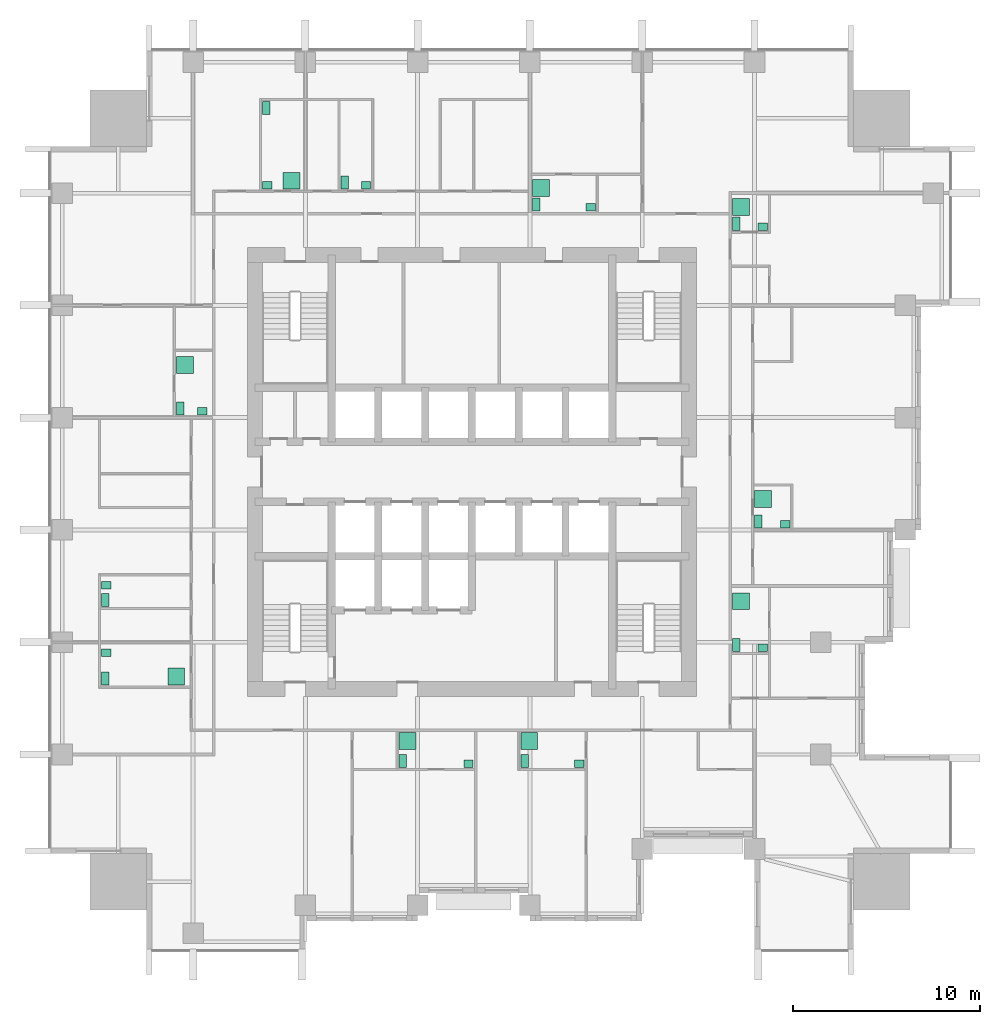
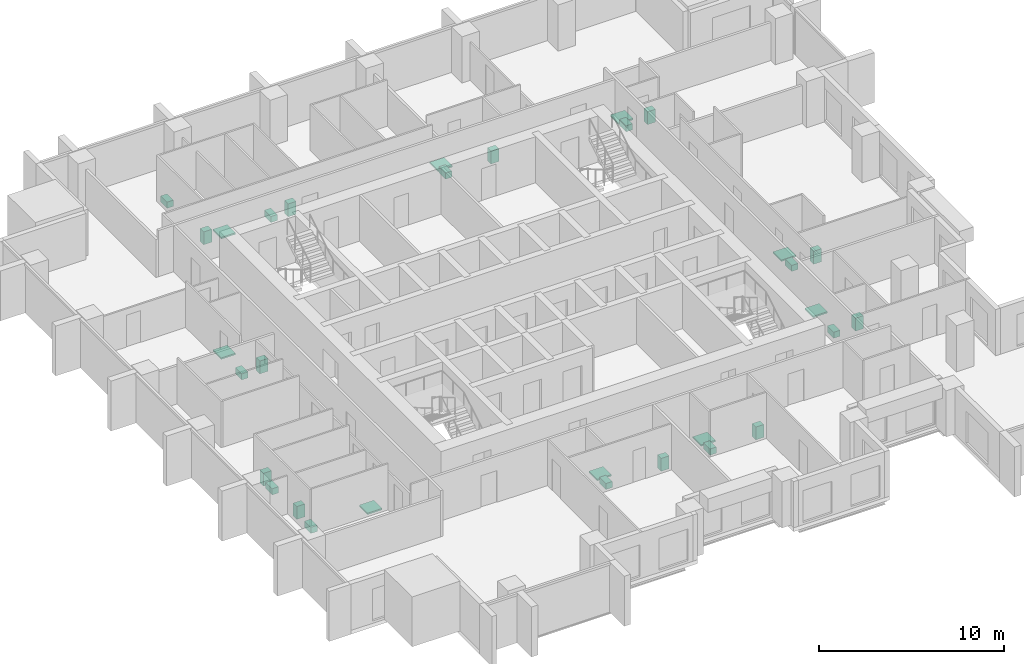
# One storey, part 10 of 10: 31 sanitary terminals.
"""IFC4 building model written with IfcOpenShell, lengths in metres."""

import ifcopenshell
import ifcopenshell.guid

model = None  # the IFC model being written
_history = None  # IfcOwnerHistory: only IFC2X3 demands one
_inside = {}  # id of a spatial element -> (the spatial element, [elements in it])
_under = {}  # id of a project, library or spatial element -> (it, [spatial elements below it])
_declared = {}  # id of a project -> (the project, [libraries it declares])
_typed = {}  # id of a type object -> (the type object, [elements of that type])
_made_of = {}  # id of a material, layer set ... -> (it, [elements and type objects made of it])


def new_model(schema):
    """Start an empty IFC model of exactly this schema.

    Asked for "IFC4X3", IfcOpenShell would pick the latest addendum, in which some entities
    have other attributes; the version numbers below select the first issue.
    IFC2X3 requires an IfcOwnerHistory on every rooted entity: one is made here for all.
    """
    global model, _history
    if schema == "IFC4X3":
        model = ifcopenshell.file(schema_version=(4, 3, 0, 0))
    else:
        model = ifcopenshell.file(schema=schema)
    _inside.clear()
    _under.clear()
    _declared.clear()
    _typed.clear()
    _made_of.clear()
    _history = None
    if model.schema == "IFC2X3":
        org = make("IfcOrganization", Name="unknown")
        user = make(
            "IfcPersonAndOrganization",
            ThePerson=make("IfcPerson", FamilyName="unknown"),
            TheOrganization=org,
        )
        app = make(
            "IfcApplication",
            ApplicationDeveloper=org,
            Version="unknown",
            ApplicationFullName="unknown",
            ApplicationIdentifier="unknown",
        )
        _history = make(
            "IfcOwnerHistory",
            OwningUser=user,
            OwningApplication=app,
            ChangeAction="ADDED",
            CreationDate=0,
        )
    return model


def make(cls, **values):
    """One entity of the class cls with the attributes given. An attribute that is None is left unset."""
    return model.create_entity(
        cls, **{name: value for name, value in values.items() if value is not None}
    )


def rooted(cls, **values):
    """An entity with a GlobalId (a new one), such as an element, a storey or a relation."""
    return make(cls, GlobalId=ifcopenshell.guid.new(), OwnerHistory=_history, **values)


def si_unit(unit_type, name, prefix=None):
    """IfcSIUnit, for example si_unit("LENGTHUNIT", "METRE", prefix="MILLI")."""
    return make("IfcSIUnit", UnitType=unit_type, Prefix=prefix, Name=name)


def assignment(units):
    """IfcUnitAssignment: the units of a project."""
    return None if units is None else make("IfcUnitAssignment", Units=units)


def point(xyz):
    """IfcCartesianPoint."""
    return None if xyz is None else make("IfcCartesianPoint", Coordinates=xyz)


def direction(xyz):
    """IfcDirection."""
    return None if xyz is None else make("IfcDirection", DirectionRatios=xyz)


def frame(location, z_axis=None, x_axis=None):
    """IfcAxis2Placement3D, a coordinate frame: its origin and axes. An axis left out is left unset."""
    return make(
        "IfcAxis2Placement3D",
        Location=point(location),
        Axis=direction(z_axis),
        RefDirection=direction(x_axis),
    )


def frame_2d(location, x_axis=None):
    """IfcAxis2Placement2D, a coordinate frame in the plane: its origin and x axis."""
    return make(
        "IfcAxis2Placement2D", Location=point(location), RefDirection=direction(x_axis)
    )


def origin():
    """The frame at (0, 0, 0) with its axes left unset."""
    return frame((0.0, 0.0, 0.0))


def origin_2d():
    """The frame at (0, 0) in the plane with its x axis left unset."""
    return frame_2d((0.0, 0.0))


def place(relative_to, where):
    """IfcLocalPlacement: puts the frame where relative to a parent placement (None: the world)."""
    return make(
        "IfcLocalPlacement", PlacementRelTo=relative_to, RelativePlacement=where
    )


def context(
    kind, dimensions, precision=None, world=None, true_north=None, identifier=None
):
    """IfcGeometricRepresentationContext, for example the 3D "Model" context."""
    return make(
        "IfcGeometricRepresentationContext",
        ContextIdentifier=identifier,
        ContextType=kind,
        CoordinateSpaceDimension=dimensions,
        Precision=precision,
        WorldCoordinateSystem=world,
        TrueNorth=true_north,
    )


def subcontext(parent, identifier, kind, view, scale=None):
    """IfcGeometricRepresentationSubContext, for example "Body" below "Model"."""
    return make(
        "IfcGeometricRepresentationSubContext",
        ContextIdentifier=identifier,
        ContextType=kind,
        ParentContext=parent,
        TargetScale=scale,
        TargetView=view,
    )


def project(units=None, contexts=None):
    """IfcProject with its units and contexts."""
    return rooted(
        "IfcProject",
        Name="project",
        RepresentationContexts=contexts,
        UnitsInContext=assignment(units),
    )


def spatial(cls, under=None, at=None, **own):
    """A site, building, storey or space (cls), placed at a placement, below another one or the project."""
    s = rooted(cls, ObjectPlacement=at, **own)
    if under is not None:
        _under.setdefault(under.id(), (under, []))[1].append(s)
    return s


def profile(cls, at=None, kind="AREA", **sizes):
    """A parametric profile (cls). Its sizes go by their IFC names, for example OverallWidth=200.0."""
    return make(cls, ProfileType=kind, Position=at, **sizes)


def rectangle(**sizes):
    """IfcRectangleProfileDef."""
    return profile("IfcRectangleProfileDef", **sizes)


def extrude(swept, where, along, depth):
    """IfcExtrudedAreaSolid: the profile swept, set in the frame where, extruded along a direction by depth."""
    return make(
        "IfcExtrudedAreaSolid",
        SweptArea=swept,
        Position=where,
        ExtrudedDirection=direction(along),
        Depth=depth,
    )


def shape(context_of_items, identifier, shape_type, items):
    """IfcShapeRepresentation: the items that make up one representation, for example the "Body"."""
    return make(
        "IfcShapeRepresentation",
        ContextOfItems=context_of_items,
        RepresentationIdentifier=identifier,
        RepresentationType=shape_type,
        Items=items,
    )


def made_of(thing, what):
    """Note that an element or type object is made of a material, layer set ...; save() writes the relation."""
    if what is not None:
        _made_of.setdefault(what.id(), (what, []))[1].append(thing)
    return thing


def element(
    cls,
    number,
    at=None,
    inside=None,
    cuts=None,
    type_object=None,
    material=None,
    context=None,
    identifier="Body",
    shape_type=None,
    held_by="IfcProductDefinitionShape",
    body=None,
    shapes=None,
    **own,
):
    """One element of the class cls, such as IfcWall. Its Tag is "e" and its number.

    at: its placement. inside: the storey or other place that contains it. cuts: it is an
    opening in that element (IfcRelVoidsElement). A single representation is given by context,
    identifier, shape_type and body (its items); several are given by shapes. held_by: the class
    of the entity that holds the representations. save() writes the other relations.
    """
    e = rooted(cls, Tag="e%d" % number, ObjectPlacement=at, **own)
    if body is not None:
        shapes = [shape(context, identifier, shape_type, body)]
    if shapes is not None:
        e.Representation = make(held_by, Representations=shapes)
    if inside is not None:
        _inside.setdefault(inside.id(), (inside, []))[1].append(e)
    if cuts is not None:
        rooted(
            "IfcRelVoidsElement", RelatingBuildingElement=cuts, RelatedOpeningElement=e
        )
    if type_object is not None:
        _typed.setdefault(type_object.id(), (type_object, []))[1].append(e)
    return made_of(e, material)


def aggregate(whole, parts):
    """IfcRelAggregates: a whole, such as a stair, and the parts it consists of."""
    return rooted("IfcRelAggregates", RelatingObject=whole, RelatedObjects=parts)


def save(model, path):
    """Write the relations noted so far, then the file.

    IfcRelAggregates (storeys below a building ...), IfcRelContainedInSpatialStructure (elements
    in a storey), IfcRelDefinesByType, IfcRelAssociatesMaterial and IfcRelDeclares: one each for
    every whole, place, type object, material and project.
    """
    for whole, parts in _under.values():
        aggregate(whole, parts)
    for where, things in _inside.values():
        rooted(
            "IfcRelContainedInSpatialStructure",
            RelatedElements=things,
            RelatingStructure=where,
        )
    for kind, things in _typed.values():
        rooted("IfcRelDefinesByType", RelatedObjects=things, RelatingType=kind)
    for what, things in _made_of.values():
        rooted("IfcRelAssociatesMaterial", RelatedObjects=things, RelatingMaterial=what)
    for by, libraries in _declared.values():
        rooted("IfcRelDeclares", RelatingContext=by, RelatedDefinitions=libraries)
    model.write(path)


model = new_model("IFC4")

# Units and contexts
model_context = context("Model", 3, precision=1e-05, world=origin(), true_north=direction((0.0, 1.0)))
body_context = subcontext(model_context, "Body", "Model", "MODEL_VIEW")
ifc_project = project(units=[si_unit("LENGTHUNIT", "METRE"), si_unit("AREAUNIT", "SQUARE_METRE"), si_unit("VOLUMEUNIT", "CUBIC_METRE"), si_unit("PLANEANGLEUNIT", "RADIAN"), si_unit("MASSUNIT", "GRAM", prefix="KILO")], contexts=[model_context])

# Site, building, storey
site_placement = place(None, origin())
site = spatial("IfcSite", under=ifc_project, at=site_placement, CompositionType="ELEMENT")
building_placement = place(site_placement, origin())
building = spatial("IfcBuilding", under=site, at=building_placement, Name="Amberfall Residences", CompositionType="ELEMENT")
storey_placement = place(building_placement, frame((0.0, 0.0, 118.300048828125)))
storey = spatial("IfcBuildingStorey", under=building, at=storey_placement, Name="L32", CompositionType="ELEMENT", Elevation=118.300048828125)

# Sanitary terminals
sanitary_terminal_1_placement = place(storey_placement, frame((70.81005859375, 30.06005859375, 0.0), z_axis=(0.0, 0.0, 1.0), x_axis=(1.0, 0.0, 0.0)))
element("IfcSanitaryTerminal", 1, at=sanitary_terminal_1_placement, inside=storey, Name="Water closet 3201", PredefinedType="TOILETPAN", context=body_context, shape_type="SweptSolid", body=[
    extrude(rectangle(XDim=0.39990234375, YDim=0.699951171875, at=origin_2d()), origin(), (0.0, 0.0, 1.0), 0.39990234375),
])
sanitary_terminal_2_placement = place(storey_placement, frame((74.31494140625, 29.909912109375, 0.0), z_axis=(0.0, 0.0, 1.0), x_axis=(1.0, 0.0, 0.0)))
element("IfcSanitaryTerminal", 2, at=sanitary_terminal_2_placement, inside=storey, Name="Basin 3201", PredefinedType="WASHHANDBASIN", context=body_context, shape_type="SweptSolid", body=[
    extrude(rectangle(XDim=0.5, YDim=0.39990234375, at=origin_2d()), origin(), (0.0, 0.0, 1.0), 0.85009765625),
])
sanitary_terminal_3_placement = place(storey_placement, frame((71.06005859375, 31.114990234375, 0.0), z_axis=(0.0, 0.0, 1.0), x_axis=(1.0, 0.0, 0.0)))
element("IfcSanitaryTerminal", 3, at=sanitary_terminal_3_placement, inside=storey, Name="Shower tray 3201", PredefinedType="SHOWER", context=body_context, shape_type="SweptSolid", body=[
    extrude(rectangle(XDim=0.89990234375, YDim=0.89990234375, at=origin_2d()), origin(), (0.0, 0.0, 1.0), 0.10009765625),
])
sanitary_terminal_4_placement = place(storey_placement, frame((77.31005859375, 30.06005859375, 0.0), z_axis=(0.0, 0.0, 1.0), x_axis=(1.0, 0.0, 0.0)))
element("IfcSanitaryTerminal", 4, at=sanitary_terminal_4_placement, inside=storey, Name="Water closet 3202", PredefinedType="TOILETPAN", context=body_context, shape_type="SweptSolid", body=[
    extrude(rectangle(XDim=0.39990234375, YDim=0.699951171875, at=origin_2d()), origin(), (0.0, 0.0, 1.0), 0.39990234375),
])
sanitary_terminal_5_placement = place(storey_placement, frame((80.239990234375, 29.909912109375, 0.0), z_axis=(0.0, 0.0, 1.0), x_axis=(1.0, 0.0, 0.0)))
element("IfcSanitaryTerminal", 5, at=sanitary_terminal_5_placement, inside=storey, Name="Basin 3202", PredefinedType="WASHHANDBASIN", context=body_context, shape_type="SweptSolid", body=[
    extrude(rectangle(XDim=0.5, YDim=0.39990234375, at=origin_2d()), origin(), (0.0, 0.0, 1.0), 0.85009765625),
])
sanitary_terminal_6_placement = place(storey_placement, frame((77.56005859375, 31.114990234375, 0.0), z_axis=(0.0, 0.0, 1.0), x_axis=(1.0, 0.0, 0.0)))
element("IfcSanitaryTerminal", 6, at=sanitary_terminal_6_placement, inside=storey, Name="Shower tray 3202", PredefinedType="SHOWER", context=body_context, shape_type="SweptSolid", body=[
    extrude(rectangle(XDim=0.89990234375, YDim=0.89990234375, at=origin_2d()), origin(), (0.0, 0.0, 1.0), 0.10009765625),
])
sanitary_terminal_7_placement = place(storey_placement, frame((88.635009765625, 36.260009765625, 0.0), z_axis=(0.0, 0.0, 1.0), x_axis=(1.0, 0.0, 0.0)))
element("IfcSanitaryTerminal", 7, at=sanitary_terminal_7_placement, inside=storey, Name="Water closet 3203", PredefinedType="TOILETPAN", context=body_context, shape_type="SweptSolid", body=[
    extrude(rectangle(XDim=0.39990234375, YDim=0.699951171875, at=origin_2d()), origin(), (0.0, 0.0, 1.0), 0.39990234375),
])
sanitary_terminal_8_placement = place(storey_placement, frame((90.0400390625, 36.110107421875, 0.0), z_axis=(0.0, 0.0, 1.0), x_axis=(1.0, 0.0, 0.0)))
element("IfcSanitaryTerminal", 8, at=sanitary_terminal_8_placement, inside=storey, Name="Basin 3203", PredefinedType="WASHHANDBASIN", context=body_context, shape_type="SweptSolid", body=[
    extrude(rectangle(XDim=0.5, YDim=0.39990234375, at=origin_2d()), origin(), (0.0, 0.0, 1.0), 0.85009765625),
])
sanitary_terminal_9_placement = place(storey_placement, frame((88.885009765625, 38.591796875, 0.0), z_axis=(0.0, 0.0, 1.0), x_axis=(1.0, 0.0, 0.0)))
element("IfcSanitaryTerminal", 9, at=sanitary_terminal_9_placement, inside=storey, Name="Shower tray 3203", PredefinedType="SHOWER", context=body_context, shape_type="SweptSolid", body=[
    extrude(rectangle(XDim=0.89990234375, YDim=0.89990234375, at=origin_2d()), origin(), (0.0, 0.0, 1.0), 0.10009765625),
])
sanitary_terminal_10_placement = place(storey_placement, frame((89.81005859375, 42.860107421875, 0.0), z_axis=(0.0, 0.0, 1.0), x_axis=(1.0, 0.0, 0.0)))
element("IfcSanitaryTerminal", 10, at=sanitary_terminal_10_placement, inside=storey, Name="Water closet 3204", PredefinedType="TOILETPAN", context=body_context, shape_type="SweptSolid", body=[
    extrude(rectangle(XDim=0.39990234375, YDim=0.699951171875, at=origin_2d()), origin(), (0.0, 0.0, 1.0), 0.39990234375),
])
sanitary_terminal_11_placement = place(storey_placement, frame((91.239990234375, 42.7099609375, 0.0), z_axis=(0.0, 0.0, 1.0), x_axis=(1.0, 0.0, 0.0)))
element("IfcSanitaryTerminal", 11, at=sanitary_terminal_11_placement, inside=storey, Name="Basin 3204", PredefinedType="WASHHANDBASIN", context=body_context, shape_type="SweptSolid", body=[
    extrude(rectangle(XDim=0.5, YDim=0.39990234375, at=origin_2d()), origin(), (0.0, 0.0, 1.0), 0.85009765625),
])
sanitary_terminal_12_placement = place(storey_placement, frame((90.06005859375, 44.05712890625, 0.0), z_axis=(0.0, 0.0, 1.0), x_axis=(1.0, 0.0, 0.0)))
element("IfcSanitaryTerminal", 12, at=sanitary_terminal_12_placement, inside=storey, Name="Shower tray 3204", PredefinedType="SHOWER", context=body_context, shape_type="SweptSolid", body=[
    extrude(rectangle(XDim=0.89990234375, YDim=0.89990234375, at=origin_2d()), origin(), (0.0, 0.0, 1.0), 0.10009765625),
])
sanitary_terminal_13_placement = place(storey_placement, frame((88.635009765625, 58.760009765625, 0.0), z_axis=(0.0, 0.0, 1.0), x_axis=(1.0, 0.0, 0.0)))
element("IfcSanitaryTerminal", 13, at=sanitary_terminal_13_placement, inside=storey, Name="Water closet 3205", PredefinedType="TOILETPAN", context=body_context, shape_type="SweptSolid", body=[
    extrude(rectangle(XDim=0.39990234375, YDim=0.699951171875, at=origin_2d()), origin(), (0.0, 0.0, 1.0), 0.39990234375),
])
sanitary_terminal_14_placement = place(storey_placement, frame((90.0400390625, 58.610107421875, 0.0), z_axis=(0.0, 0.0, 1.0), x_axis=(1.0, 0.0, 0.0)))
element("IfcSanitaryTerminal", 14, at=sanitary_terminal_14_placement, inside=storey, Name="Basin 3205", PredefinedType="WASHHANDBASIN", context=body_context, shape_type="SweptSolid", body=[
    extrude(rectangle(XDim=0.5, YDim=0.39990234375, at=origin_2d()), origin(), (0.0, 0.0, 1.0), 0.85009765625),
])
sanitary_terminal_15_placement = place(storey_placement, frame((88.885009765625, 59.65576171875, 0.0), z_axis=(0.0, 0.0, 1.0), x_axis=(1.0, 0.0, 0.0)))
element("IfcSanitaryTerminal", 15, at=sanitary_terminal_15_placement, inside=storey, Name="Shower tray 3205", PredefinedType="SHOWER", context=body_context, shape_type="SweptSolid", body=[
    extrude(rectangle(XDim=0.89990234375, YDim=0.89990234375, at=origin_2d()), origin(), (0.0, 0.0, 1.0), 0.10009765625),
])
sanitary_terminal_16_placement = place(storey_placement, frame((67.7099609375, 60.9599609375, 0.0), z_axis=(0.0, 0.0, 1.0), x_axis=(1.0, 0.0, 0.0)))
element("IfcSanitaryTerminal", 16, at=sanitary_terminal_16_placement, inside=storey, Name="Water closet 3206 1", PredefinedType="TOILETPAN", context=body_context, shape_type="SweptSolid", body=[
    extrude(rectangle(XDim=0.39990234375, YDim=0.699951171875, at=origin_2d()), origin(), (0.0, 0.0, 1.0), 0.39990234375),
])
sanitary_terminal_17_placement = place(storey_placement, frame((68.840087890625, 60.81005859375, 0.0), z_axis=(0.0, 0.0, 1.0), x_axis=(1.0, 0.0, 0.0)))
element("IfcSanitaryTerminal", 17, at=sanitary_terminal_17_placement, inside=storey, Name="Basin 3206 1", PredefinedType="WASHHANDBASIN", context=body_context, shape_type="SweptSolid", body=[
    extrude(rectangle(XDim=0.5, YDim=0.39990234375, at=origin_2d()), origin(), (0.0, 0.0, 1.0), 0.85009765625),
])
sanitary_terminal_18_placement = place(storey_placement, frame((63.510009765625, 64.93994140625, 0.0), z_axis=(0.0, 0.0, 1.0), x_axis=(1.0, 0.0, 0.0)))
element("IfcSanitaryTerminal", 18, at=sanitary_terminal_18_placement, inside=storey, Name="Water closet 3206", PredefinedType="TOILETPAN", context=body_context, shape_type="SweptSolid", body=[
    extrude(rectangle(XDim=0.39990234375, YDim=0.699951171875, at=origin_2d()), origin(), (0.0, 0.0, 1.0), 0.39990234375),
])
sanitary_terminal_19_placement = place(storey_placement, frame((63.56005859375, 60.81005859375, 0.0), z_axis=(0.0, 0.0, 1.0), x_axis=(1.0, 0.0, 0.0)))
element("IfcSanitaryTerminal", 19, at=sanitary_terminal_19_placement, inside=storey, Name="Basin 3206", PredefinedType="WASHHANDBASIN", context=body_context, shape_type="SweptSolid", body=[
    extrude(rectangle(XDim=0.5, YDim=0.39990234375, at=origin_2d()), origin(), (0.0, 0.0, 1.0), 0.85009765625),
])
sanitary_terminal_20_placement = place(storey_placement, frame((64.857177734375, 61.06005859375, 0.0), z_axis=(0.0, 0.0, 1.0), x_axis=(1.0, 0.0, 0.0)))
element("IfcSanitaryTerminal", 20, at=sanitary_terminal_20_placement, inside=storey, Name="Shower tray 3206", PredefinedType="SHOWER", context=body_context, shape_type="SweptSolid", body=[
    extrude(rectangle(XDim=0.89990234375, YDim=0.89990234375, at=origin_2d()), origin(), (0.0, 0.0, 1.0), 0.10009765625),
])
sanitary_terminal_21_placement = place(storey_placement, frame((77.93505859375, 59.784912109375, 0.0), z_axis=(0.0, 0.0, 1.0), x_axis=(1.0, 0.0, 0.0)))
element("IfcSanitaryTerminal", 21, at=sanitary_terminal_21_placement, inside=storey, Name="Water closet 3207", PredefinedType="TOILETPAN", context=body_context, shape_type="SweptSolid", body=[
    extrude(rectangle(XDim=0.39990234375, YDim=0.699951171875, at=origin_2d()), origin(), (0.0, 0.0, 1.0), 0.39990234375),
])
sanitary_terminal_22_placement = place(storey_placement, frame((80.840087890625, 59.635009765625, 0.0), z_axis=(0.0, 0.0, 1.0), x_axis=(1.0, 0.0, 0.0)))
element("IfcSanitaryTerminal", 22, at=sanitary_terminal_22_placement, inside=storey, Name="Basin 3207", PredefinedType="WASHHANDBASIN", context=body_context, shape_type="SweptSolid", body=[
    extrude(rectangle(XDim=0.5, YDim=0.39990234375, at=origin_2d()), origin(), (0.0, 0.0, 1.0), 0.85009765625),
])
sanitary_terminal_23_placement = place(storey_placement, frame((78.18505859375, 60.680908203125, 0.0), z_axis=(0.0, 0.0, 1.0), x_axis=(1.0, 0.0, 0.0)))
element("IfcSanitaryTerminal", 23, at=sanitary_terminal_23_placement, inside=storey, Name="Shower tray 3207", PredefinedType="SHOWER", context=body_context, shape_type="SweptSolid", body=[
    extrude(rectangle(XDim=0.89990234375, YDim=0.89990234375, at=origin_2d()), origin(), (0.0, 0.0, 1.0), 0.10009765625),
])
sanitary_terminal_24_placement = place(storey_placement, frame((54.909912109375, 38.659912109375, 0.0), z_axis=(0.0, 0.0, 1.0), x_axis=(1.0, 0.0, 0.0)))
element("IfcSanitaryTerminal", 24, at=sanitary_terminal_24_placement, inside=storey, Name="Water closet 3208 1", PredefinedType="TOILETPAN", context=body_context, shape_type="SweptSolid", body=[
    extrude(rectangle(XDim=0.39990234375, YDim=0.699951171875, at=origin_2d()), origin(), (0.0, 0.0, 1.0), 0.39990234375),
])
sanitary_terminal_25_placement = place(storey_placement, frame((54.9599609375, 39.4541015625, 0.0), z_axis=(0.0, 0.0, 1.0), x_axis=(1.0, 0.0, 0.0)))
element("IfcSanitaryTerminal", 25, at=sanitary_terminal_25_placement, inside=storey, Name="Basin 3208 1", PredefinedType="WASHHANDBASIN", context=body_context, shape_type="SweptSolid", body=[
    extrude(rectangle(XDim=0.5, YDim=0.39990234375, at=origin_2d()), origin(), (0.0, 0.0, 1.0), 0.85009765625),
])
sanitary_terminal_26_placement = place(storey_placement, frame((54.909912109375, 34.4599609375, 0.0), z_axis=(0.0, 0.0, 1.0), x_axis=(1.0, 0.0, 0.0)))
element("IfcSanitaryTerminal", 26, at=sanitary_terminal_26_placement, inside=storey, Name="Water closet 3208", PredefinedType="TOILETPAN", context=body_context, shape_type="SweptSolid", body=[
    extrude(rectangle(XDim=0.39990234375, YDim=0.699951171875, at=origin_2d()), origin(), (0.0, 0.0, 1.0), 0.39990234375),
])
sanitary_terminal_27_placement = place(storey_placement, frame((54.9599609375, 35.835693359375, 0.0), z_axis=(0.0, 0.0, 1.0), x_axis=(1.0, 0.0, 0.0)))
element("IfcSanitaryTerminal", 27, at=sanitary_terminal_27_placement, inside=storey, Name="Basin 3208", PredefinedType="WASHHANDBASIN", context=body_context, shape_type="SweptSolid", body=[
    extrude(rectangle(XDim=0.5, YDim=0.39990234375, at=origin_2d()), origin(), (0.0, 0.0, 1.0), 0.85009765625),
])
sanitary_terminal_28_placement = place(storey_placement, frame((58.703857421875, 34.56005859375, 0.0), z_axis=(0.0, 0.0, 1.0), x_axis=(1.0, 0.0, 0.0)))
element("IfcSanitaryTerminal", 28, at=sanitary_terminal_28_placement, inside=storey, Name="Shower tray 3208", PredefinedType="SHOWER", context=body_context, shape_type="SweptSolid", body=[
    extrude(rectangle(XDim=0.89990234375, YDim=0.89990234375, at=origin_2d()), origin(), (0.0, 0.0, 1.0), 0.10009765625),
])
sanitary_terminal_29_placement = place(storey_placement, frame((58.909912109375, 48.885009765625, 0.0), z_axis=(0.0, 0.0, 1.0), x_axis=(1.0, 0.0, 0.0)))
element("IfcSanitaryTerminal", 29, at=sanitary_terminal_29_placement, inside=storey, Name="Water closet 3209", PredefinedType="TOILETPAN", context=body_context, shape_type="SweptSolid", body=[
    extrude(rectangle(XDim=0.39990234375, YDim=0.699951171875, at=origin_2d()), origin(), (0.0, 0.0, 1.0), 0.39990234375),
])
sanitary_terminal_30_placement = place(storey_placement, frame((60.089111328125, 48.735107421875, 0.0), z_axis=(0.0, 0.0, 1.0), x_axis=(1.0, 0.0, 0.0)))
element("IfcSanitaryTerminal", 30, at=sanitary_terminal_30_placement, inside=storey, Name="Basin 3209", PredefinedType="WASHHANDBASIN", context=body_context, shape_type="SweptSolid", body=[
    extrude(rectangle(XDim=0.5, YDim=0.39990234375, at=origin_2d()), origin(), (0.0, 0.0, 1.0), 0.85009765625),
])
sanitary_terminal_31_placement = place(storey_placement, frame((59.159912109375, 51.216796875, 0.0), z_axis=(0.0, 0.0, 1.0), x_axis=(1.0, 0.0, 0.0)))
element("IfcSanitaryTerminal", 31, at=sanitary_terminal_31_placement, inside=storey, Name="Shower tray 3209", PredefinedType="SHOWER", context=body_context, shape_type="SweptSolid", body=[
    extrude(rectangle(XDim=0.89990234375, YDim=0.89990234375, at=origin_2d()), origin(), (0.0, 0.0, 1.0), 0.10009765625),
])

save(model, "model.ifc")
